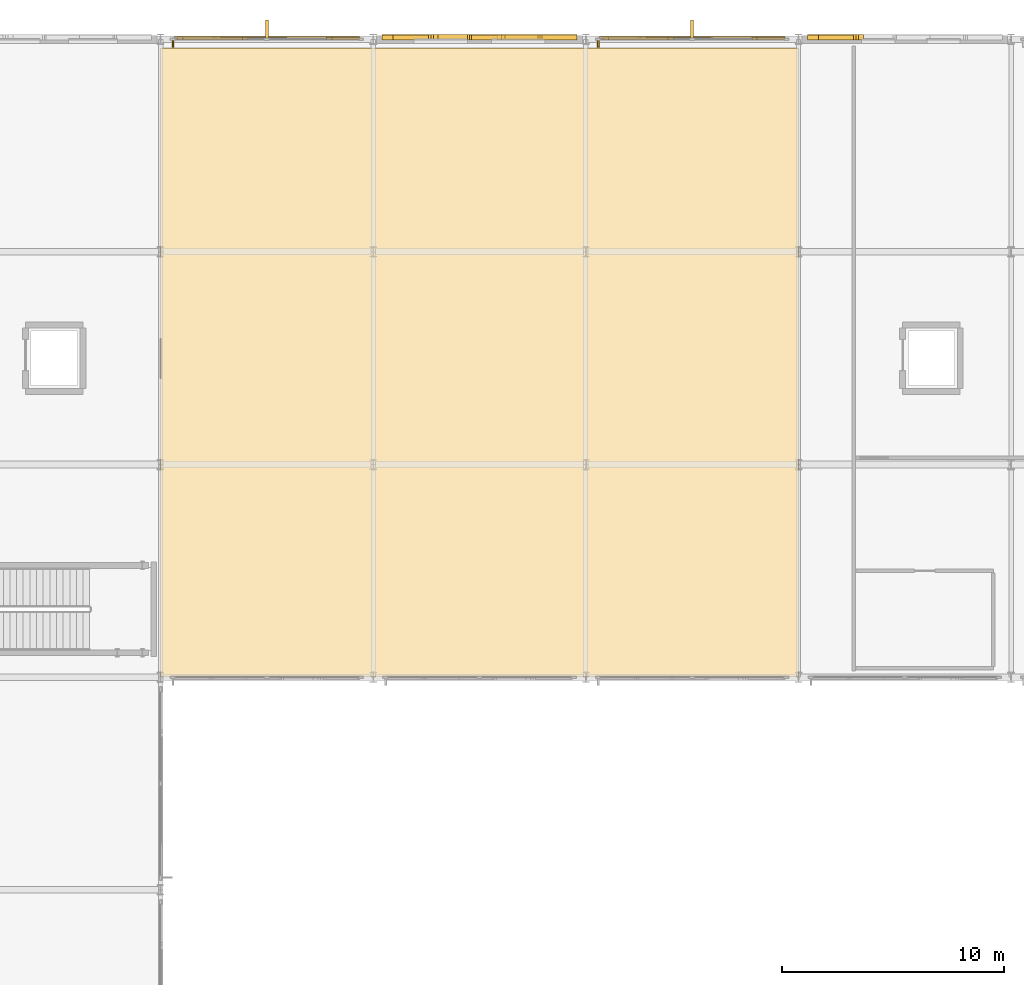
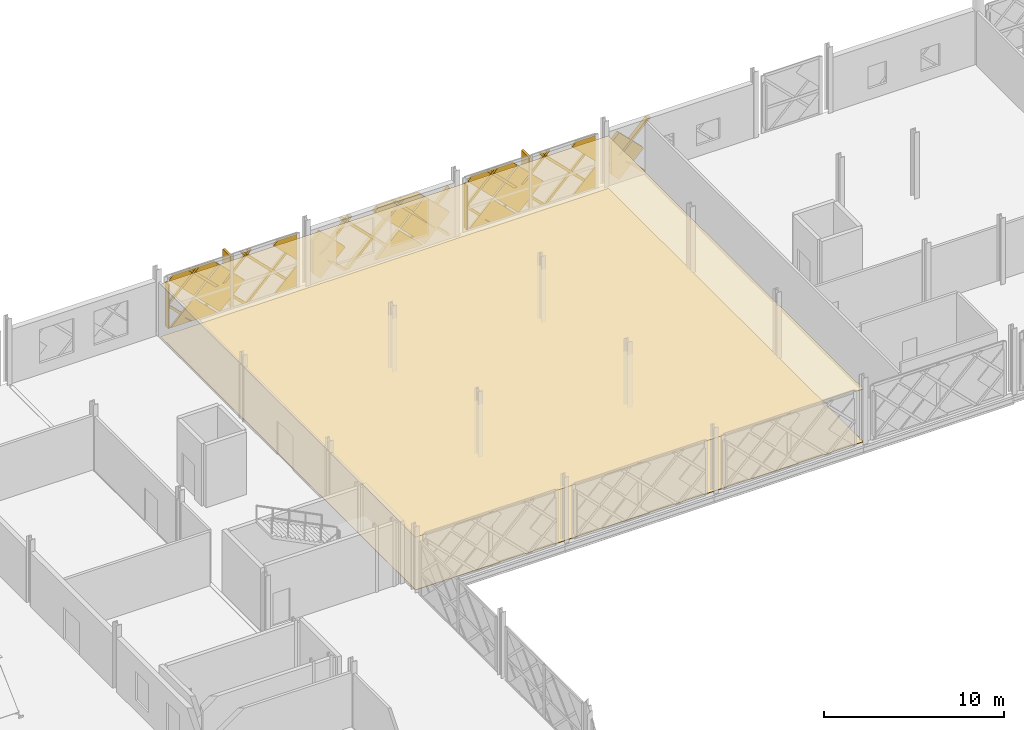
# One storey, part 93 of 101: 39 coverings, 2 shading devices.
"""IFC4 building model written with IfcOpenShell, lengths in metres."""

from ifc_helpers import new_model, si_unit, direction, frame, origin, origin_2d, place, context, subcontext, project, spatial, polyline, rectangle, outline, extrude, material, layer, layer_set, type_object, element, save


model = new_model("IFC4")

# Units and contexts
model_context = context("Model", 3, precision=1e-05, world=origin(), true_north=direction((0.0, 1.0)))
body_context = subcontext(model_context, "Body", "Model", "MODEL_VIEW")
ifc_project = project(units=[si_unit("LENGTHUNIT", "METRE"), si_unit("AREAUNIT", "SQUARE_METRE"), si_unit("VOLUMEUNIT", "CUBIC_METRE"), si_unit("PLANEANGLEUNIT", "RADIAN"), si_unit("MASSUNIT", "GRAM", prefix="KILO")], contexts=[model_context])

# Site, building, storey
site_placement = place(None, origin())
site = spatial("IfcSite", under=ifc_project, at=site_placement, CompositionType="ELEMENT")
building_placement = place(site_placement, origin())
building = spatial("IfcBuilding", under=site, at=building_placement, Name="Zevrakil Square Congress Hotel", CompositionType="ELEMENT")
storey_placement = place(building_placement, frame((0.0, 0.0, 5.39990234375)))
storey = spatial("IfcBuildingStorey", under=building, at=storey_placement, Name="L02", CompositionType="ELEMENT", Elevation=5.39990234375)

# Coverings
ifc_material_1 = material(Name="Acoustic Perforated Timber Ceiling", Category="wood")
ifc_layer_1 = layer(ifc_material_1, 0.02490234375)
ifc_layer_set_1 = layer_set([ifc_layer_1], Name="Acoustic Perforated Timber Ceiling")
covering_type_1 = type_object("IfcCoveringType", Name="COV-CEIL-ACOUSTIC-025", PredefinedType="CEILING", material=ifc_layer_set_1)
covering_1_placement = place(storey_placement, frame((0.0, 0.0, 3.590087890625)))
element("IfcCovering", 1, at=covering_1_placement, inside=storey, type_object=covering_type_1, Name="L02 acoustic perforated timber ceiling 5", PredefinedType="CEILING", context=body_context, shape_type="SweptSolid", body=[
    extrude(outline(polyline([(64.800048828125, 84.0), (93.60009765625, 84.0), (93.60009765625, 112.39990234375), (64.800048828125, 112.39990234375), (64.800048828125, 84.0)])), origin(), (0.0, 0.0, 1.0), 0.02490234375),
])
ifc_material_2 = material(Name="Architectural White Fibre-C GRC", Category="concrete")
ifc_layer_2 = layer(ifc_material_2, 0.06494140625)
ifc_layer_set_2 = layer_set([ifc_layer_2], Name="Architectural White Fibre-C GRC")
covering_type_2 = type_object("IfcCoveringType", Name="COV-DIA-WHITE", PredefinedType="CLADDING", material=ifc_layer_set_2)
covering_2_placement = place(storey_placement, frame((72.3701171875, 112.89501953125, 0.080078125), z_axis=(0.0, 0.999999760125, 0.000692640526), x_axis=(1.0, 0.0, 0.0)))
element("IfcCovering", 2, at=covering_2_placement, inside=storey, type_object=covering_type_2, Name="L02 45-degree white GRC diamond facade cassette 634", PredefinedType="CLADDING", context=body_context, shape_type="SweptSolid", body=[
    extrude(outline(polyline([(0.0, 0.0), (1.409912109375, 0.0), (1.409912109375, -1.4099124475784228), (0.0, 0.0)])), origin(), (0.0, 0.0, -1.0), 0.1201171875),
])
covering_3_placement = place(storey_placement, frame((67.159912109375, 112.89404296875, 1.590087890625), z_axis=(0.0, 0.999999790873, 0.000646725815), x_axis=(-0.707106707249, 0.000457304257, -0.707106707249)))
element("IfcCovering", 3, at=covering_3_placement, inside=storey, type_object=covering_type_2, Name="L02 45-degree white GRC diamond facade cassette 635", PredefinedType="CLADDING", context=body_context, shape_type="SweptSolid", body=[
    extrude(outline(polyline([(0.0, 0.0), (2.1354765131557993, 0.0), (4.465861884739297e-07, -2.1354765131557527), (0.0, 0.0)])), origin(), (0.0, 0.0, -1.0), 0.1201171875),
])
covering_4_placement = place(storey_placement, frame((68.840087890625, 112.89306640625, 3.27001953125), z_axis=(0.0, 0.999999811377, 0.000614203339), x_axis=(-0.707161000837, 0.000434274042, -0.707052424012)))
element("IfcCovering", 4, at=covering_4_placement, inside=storey, type_object=covering_type_2, Name="L02 45-degree white GRC diamond facade cassette 636", PredefinedType="CLADDING", context=body_context, shape_type="SweptSolid", body=[
    extrude(outline(polyline([(0.0, 0.0), (2.2485514454867683, 0.0), (2.2483792228863573, -2.248724065739994), (-0.0001721960923970478, -2.248378798790573), (0.0, 0.0)])), origin(), (0.0, 0.0, -1.0), 0.1201171875),
])
covering_5_placement = place(storey_placement, frame((72.2900390625, 112.89306640625, 3.360107421875), z_axis=(6.3815884e-05, 0.999999812703, 0.000608705356), x_axis=(0.707106741381, 0.000385295076, -0.707106716021)))
element("IfcCovering", 5, at=covering_5_placement, inside=storey, type_object=covering_type_2, Name="L02 45-degree white GRC diamond facade cassette 637", PredefinedType="CLADDING", context=body_context, shape_type="SweptSolid", body=[
    extrude(outline(polyline([(0.0, 0.0), (2.1071645230484313, 0.0), (0.8804306692339328, -1.2267337135237), (-8.785623831220057e-08, -0.3463028608930553), (0.0, 0.0)])), origin(), (0.0, 0.0, -1.0), 0.1201171875),
])
covering_6_placement = place(storey_placement, frame((65.570068359375, 112.89306640625, 3.360107421875), z_axis=(0.0, 0.999999832179, 0.000579346068), x_axis=(0.707052455657, 0.000409691004, -0.707160983866)))
element("IfcCovering", 6, at=covering_6_placement, inside=storey, type_object=covering_type_2, Name="L02 45-degree white GRC diamond facade cassette 638", PredefinedType="CLADDING", context=body_context, shape_type="SweptSolid", body=[
    extrude(outline(polyline([(0.0, 0.0), (2.2485513447832775, -2.220446049250313e-16), (2.248378475325489, -2.2487239649946003), (1.901903001207207, -2.248524784497797), (-2.6675655460328684e-05, -0.346302853878948), (0.0, 0.0)])), origin(), (0.0, 0.0, -1.0), 0.1201171875),
])
covering_7_placement = place(storey_placement, frame((80.340087890625, 112.9990234375, 1.590087890625), z_axis=(0.0, 0.999999790873, 0.000646725815), x_axis=(-0.707106707249, 0.000457304257, -0.707106707249)))
element("IfcCovering", 7, at=covering_7_placement, inside=storey, type_object=covering_type_2, Name="L02 45-degree white GRC diamond facade cassette 657", PredefinedType="CLADDING", context=body_context, shape_type="SweptSolid", body=[
    extrude(outline(polyline([(0.0, 0.0), (2.1354765131557993, 0.0), (4.465861884739297e-07, -2.1354765131557527), (0.0, 0.0)])), origin(), (0.0, 0.0, -1.0), 0.239990234375),
])
covering_8_placement = place(storey_placement, frame((82.02001953125, 112.998046875, 3.27001953125), z_axis=(0.0, 0.999999812555, 0.000612282088), x_axis=(-0.707161000838, 0.000432915616, -0.707052424844)))
element("IfcCovering", 8, at=covering_8_placement, inside=storey, type_object=covering_type_2, Name="L02 45-degree white GRC diamond facade cassette 658", PredefinedType="CLADDING", context=body_context, shape_type="SweptSolid", body=[
    extrude(outline(polyline([(0.0, 0.0), (2.248551445484592, 0.0), (2.2483792228800303, -2.2487240657380205), (0.013811102109335449, -2.2485525032084603), (-0.000343756005215079, -2.2343954741070595), (0.0, 0.0)])), origin(), (0.0, 0.0, -1.0), 0.239990234375),
])
covering_9_placement = place(storey_placement, frame((75.300048828125, 113.0, 0.090087890625), z_axis=(-8.4612019e-05, 0.999999812462, 0.000606562075), x_axis=(0.707052419977, -0.000369112006, 0.707161041885)))
element("IfcCovering", 9, at=covering_9_placement, inside=storey, type_object=covering_type_2, Name="L02 45-degree white GRC diamond facade cassette 659", PredefinedType="CLADDING", context=body_context, shape_type="SweptSolid", body=[
    extrude(outline(polyline([(0.0, 0.0), (2.2485514407081038, 0.0), (2.248724493030647, -2.2483787953987875), (1.5416176719840167, -2.248433114590079), (5.449118448824786e-05, -0.7071069332764888), (0.0, 0.0)])), origin(), (0.0, 0.0, -1.0), 0.239990234375),
])
covering_10_placement = place(storey_placement, frame((78.75, 112.998046875, 3.360107421875), z_axis=(0.0, 0.999999832179, 0.000579346068), x_axis=(0.707106746172, 0.000409659554, -0.707106697534)))
element("IfcCovering", 10, at=covering_10_placement, inside=storey, type_object=covering_type_2, Name="L02 45-degree white GRC diamond facade cassette 660", PredefinedType="CLADDING", context=body_context, shape_type="SweptSolid", body=[
    extrude(outline(polyline([(0.0, 0.0), (2.2487239716392238, 0.0), (2.2485511154520332, -2.2485513381391633), (1.9022482605456785, -2.2485513919470725), (0.00017254537865349362, -0.34647548840639664), (0.0, 0.0)])), origin(), (0.0, 0.0, -1.0), 0.239990234375),
])
covering_11_placement = place(storey_placement, frame((91.570068359375, 112.89501953125, 0.080078125), z_axis=(0.0, 0.999999760125, 0.000692640526), x_axis=(1.0, 0.0, 0.0)))
element("IfcCovering", 11, at=covering_11_placement, inside=storey, type_object=covering_type_2, Name="L02 45-degree white GRC diamond facade cassette 678", PredefinedType="CLADDING", context=body_context, shape_type="SweptSolid", body=[
    extrude(outline(polyline([(0.0, 0.0), (1.409912109375, 0.0), (1.409912109375, -1.4099124475784228), (0.0, 0.0)])), origin(), (0.0, 0.0, -1.0), 0.1201171875),
])
covering_12_placement = place(storey_placement, frame((86.360107421875, 112.89404296875, 1.590087890625), z_axis=(0.0, 0.999999790873, 0.000646725815), x_axis=(-0.707106707249, 0.000457304257, -0.707106707249)))
element("IfcCovering", 12, at=covering_12_placement, inside=storey, type_object=covering_type_2, Name="L02 45-degree white GRC diamond facade cassette 679", PredefinedType="CLADDING", context=body_context, shape_type="SweptSolid", body=[
    extrude(outline(polyline([(0.0, 0.0), (2.1354765131557993, 0.0), (4.465861884739297e-07, -2.1354765131557527), (0.0, 0.0)])), origin(), (0.0, 0.0, -1.0), 0.1201171875),
])
covering_13_placement = place(storey_placement, frame((88.0400390625, 112.89306640625, 3.27001953125), z_axis=(0.0, 0.999999811377, 0.000614203339), x_axis=(-0.707161000837, 0.000434274042, -0.707052424012)))
element("IfcCovering", 13, at=covering_13_placement, inside=storey, type_object=covering_type_2, Name="L02 45-degree white GRC diamond facade cassette 680", PredefinedType="CLADDING", context=body_context, shape_type="SweptSolid", body=[
    extrude(outline(polyline([(0.0, 0.0), (2.2485514454867683, 0.0), (2.2483792228863573, -2.248724065739994), (-0.0001721960923970478, -2.248378798790573), (0.0, 0.0)])), origin(), (0.0, 0.0, -1.0), 0.1201171875),
])
covering_14_placement = place(storey_placement, frame((91.489990234375, 112.89306640625, 3.360107421875), z_axis=(6.3817204e-05, 0.999999812707, 0.000608697323), x_axis=(0.70710674138, 0.000385288462, -0.707106716025)))
element("IfcCovering", 14, at=covering_14_placement, inside=storey, type_object=covering_type_2, Name="L02 45-degree white GRC diamond facade cassette 681", PredefinedType="CLADDING", context=body_context, shape_type="SweptSolid", body=[
    extrude(outline(polyline([(0.0, 0.0), (2.107164523048957, 0.0), (0.8804306692337134, -1.2267337135238576), (0.00017254562600751977, -0.34647549439319403), (0.0, 0.0)])), origin(), (0.0, 0.0, -1.0), 0.1201171875),
])
covering_15_placement = place(storey_placement, frame((84.77001953125, 112.89306640625, 3.360107421875), z_axis=(0.0, 0.999999832177, 0.000579349913), x_axis=(0.707106746172, 0.000409662272, -0.707106697532)))
element("IfcCovering", 15, at=covering_15_placement, inside=storey, type_object=covering_type_2, Name="L02 45-degree white GRC diamond facade cassette 682", PredefinedType="CLADDING", context=body_context, shape_type="SweptSolid", body=[
    extrude(outline(polyline([(0.0, 0.0), (2.24872397163871, -2.220446049250313e-16), (2.248551115452546, -2.2485513381386504), (1.9022482605459134, -2.2485513919469167), (-8.810449772522766e-08, -0.3463028549066256), (0.0, 0.0)])), origin(), (0.0, 0.0, -1.0), 0.1201171875),
])
covering_16_placement = place(storey_placement, frame((94.5, 113.0, 0.090087890625), z_axis=(-8.4603528e-05, 0.999999812462, 0.000606562842), x_axis=(0.707106710496, -0.00036908103, 0.707106755555)))
element("IfcCovering", 16, at=covering_16_placement, inside=storey, type_object=covering_type_2, Name="L02 45-degree white GRC diamond facade cassette 703", PredefinedType="CLADDING", context=body_context, shape_type="SweptSolid", body=[
    extrude(outline(polyline([(0.0, 0.0), (2.2487240675562994, 0.0), (2.2485518661498842, -2.248551435566648), (1.5414450430169933, -2.2485514663260036), (2.0274496120853414e-07, -0.7071069353752842), (0.0, 0.0)])), origin(), (0.0, 0.0, -1.0), 0.239990234375),
])
ifc_material_3 = material(Name="Anodised Champagne Aluminium", Category="aluminium")
ifc_layer_3 = layer(ifc_material_3, 0.0849609375)
ifc_layer_set_3 = layer_set([ifc_layer_3], Name="Anodised Champagne Aluminium")
covering_type_3 = type_object("IfcCoveringType", Name="COV-DIAGRID-45", PredefinedType="MOLDING", material=ifc_layer_set_3)
covering_17_placement = place(storey_placement, frame((73.69384765625, 112.919921875, 0.080078125), z_axis=(-0.000187311957, 0.999999884449, 0.000442737353), x_axis=(0.999999982457, 0.000187311939, 8.293e-08)))
element("IfcCovering", 17, at=covering_17_placement, inside=storey, type_object=covering_type_3, Name="L02 45-degree aluminium diagrid rib 639", PredefinedType="MOLDING", context=body_context, shape_type="SweptSolid", body=[
    extrude(outline(polyline([(0.0, 0.0), (0.0861816391131254, 2.2812090330563966e-24), (0.08618164958060848, -0.12622069075433734), (-3.312744201763839, -3.524902971092284), (-3.5249024011669716, -3.524902971092284), (0.0, 0.0)])), origin(), (0.0, 0.0, -1.0), 0.14501953125),
])
covering_18_placement = place(storey_placement, frame((70.333984375, 112.919921875, 0.080078125), z_axis=(0.0, 0.999999805714, 0.000623354914), x_axis=(1.0, 0.0, 0.0)))
element("IfcCovering", 18, at=covering_18_placement, inside=storey, type_object=covering_type_3, Name="L02 45-degree aluminium diagrid rib 640", PredefinedType="MOLDING", context=body_context, shape_type="SweptSolid", body=[
    extrude(outline(polyline([(0.0, 0.0), (0.212158203125, 0.0), (-3.31298828125, -3.5249030285882292), (-3.525146484375, -3.5249030285882292), (0.0, 0.0)])), origin(), (0.0, 0.0, -1.0), 0.14501953125),
])
covering_19_placement = place(storey_placement, frame((66.973876953125, 112.919921875, 0.080078125), z_axis=(-0.000294139249, 0.999999913482, 0.000294139249), x_axis=(0.999999956741, 0.000294139237, 8.6518e-08)))
element("IfcCovering", 19, at=covering_19_placement, inside=storey, type_object=covering_type_3, Name="L02 45-degree aluminium diagrid rib 641", PredefinedType="MOLDING", context=body_context, shape_type="SweptSolid", body=[
    extrude(outline(polyline([(0.0, 0.0), (0.2121581939472589, 0.0), (-1.553955145347468, -1.7661134920951609), (-1.5539551637029505, -1.5539552981479028), (0.0, 0.0)])), origin(), (0.0, 0.0, -1.0), 0.14501953125),
])
covering_20_placement = place(storey_placement, frame((73.780029296875, 112.918212890625, 3.154052734375), z_axis=(-0.000287477056, 0.99999958606, 0.000863270454), x_axis=(-8.2643e-08, -0.000863270513, 0.999999627382)))
element("IfcCovering", 20, at=covering_20_placement, inside=storey, type_object=covering_type_3, Name="L02 45-degree aluminium diagrid rib 642", PredefinedType="MOLDING", context=body_context, shape_type="SweptSolid", body=[
    extrude(outline(polyline([(0.0, 0.0), (0.21215833483042407, 1.3234889800848443e-23), (-3.0739746676964605, -3.286133202330571), (-3.073974685229852, -3.0739750079722734), (0.0, 0.0)])), origin(), (0.0, 0.0, -1.0), 0.14501953125),
])
covering_21_placement = place(storey_placement, frame((70.87109375, 112.917724609375, 3.60498046875), z_axis=(0.0, 0.999999805714, 0.000623354914), x_axis=(-1.0, 0.0, 0.0)))
element("IfcCovering", 21, at=covering_21_placement, inside=storey, type_object=covering_type_3, Name="L02 45-degree aluminium diagrid rib 643", PredefinedType="MOLDING", context=body_context, shape_type="SweptSolid", body=[
    extrude(outline(polyline([(0.0, 0.0), (0.212158203125, 0.0), (3.7373046875, -3.524903028588229), (3.52490234375, -3.524903028588229), (0.0, 0.0)])), origin(), (0.0, 0.0, -1.0), 0.14501953125),
])
covering_22_placement = place(storey_placement, frame((67.510986328125, 112.917724609375, 3.60498046875), z_axis=(-0.000236587851, 0.999999555129, 0.000913108865), x_axis=(-0.999999972013, -0.000236587752, -2.1603e-07)))
element("IfcCovering", 22, at=covering_22_placement, inside=storey, type_object=covering_type_3, Name="L02 45-degree aluminium diagrid rib 644", PredefinedType="MOLDING", context=body_context, shape_type="SweptSolid", body=[
    extrude(outline(polyline([(0.0, 0.0), (0.21215819718734832, -5.6157808774107894e-24), (2.091064511647426, -1.878662440825683), (2.091064499772122, -2.0910649189555177), (0.0, 0.0)])), origin(), (0.0, 0.0, -1.0), 0.14501953125),
])
covering_23_placement = place(storey_placement, frame((83.513916015625, 113.02490234375, 0.080078125), z_axis=(-0.000187311957, 0.999999884449, 0.000442737353), x_axis=(0.999999982457, 0.000187311939, 8.293e-08)))
element("IfcCovering", 23, at=covering_23_placement, inside=storey, type_object=covering_type_3, Name="L02 45-degree aluminium diagrid rib 661", PredefinedType="MOLDING", context=body_context, shape_type="SweptSolid", body=[
    extrude(outline(polyline([(0.0, 0.0), (0.0861816391131254, 2.2812090330563966e-24), (0.08618164958060848, -0.12622069075433734), (-3.312744201763839, -3.524902971092284), (-3.5249024011669716, -3.524902971092284), (0.0, 0.0)])), origin(), (0.0, 0.0, -1.0), 0.264892578125),
])
covering_24_placement = place(storey_placement, frame((80.15380859375, 113.02490234375, 0.080078125), z_axis=(0.0, 0.999999805714, 0.000623354914), x_axis=(1.0, 0.0, 0.0)))
element("IfcCovering", 24, at=covering_24_placement, inside=storey, type_object=covering_type_3, Name="L02 45-degree aluminium diagrid rib 662", PredefinedType="MOLDING", context=body_context, shape_type="SweptSolid", body=[
    extrude(outline(polyline([(0.0, 0.0), (0.21240234375, 0.0), (-3.312744140625, -3.524903028588229), (-3.52490234375, -3.524903028588229), (0.0, 0.0)])), origin(), (0.0, 0.0, -1.0), 0.264892578125),
])
covering_25_placement = place(storey_placement, frame((76.7939453125, 113.02490234375, 0.080078125), z_axis=(-0.000290646956, 0.999999915524, 0.000290646956), x_axis=(0.999999957762, 0.000290646943, 8.4476e-08)))
element("IfcCovering", 25, at=covering_25_placement, inside=storey, type_object=covering_type_3, Name="L02 45-degree aluminium diagrid rib 663", PredefinedType="MOLDING", context=body_context, shape_type="SweptSolid", body=[
    extrude(outline(polyline([(0.0, 0.0), (0.21215819416389847, -2.8078904387053947e-24), (-1.9938965685928591, -2.2060549491146975), (-1.9938965865150626, -1.9938967549507998), (0.0, 0.0)])), origin(), (0.0, 0.0, -1.0), 0.264892578125),
])
covering_26_placement = place(storey_placement, frame((83.60009765625, 113.023193359375, 3.154052734375), z_axis=(-0.000287477056, 0.99999958606, 0.000863270454), x_axis=(-8.2643e-08, -0.000863270513, 0.999999627382)))
element("IfcCovering", 26, at=covering_26_placement, inside=storey, type_object=covering_type_3, Name="L02 45-degree aluminium diagrid rib 664", PredefinedType="MOLDING", context=body_context, shape_type="SweptSolid", body=[
    extrude(outline(polyline([(0.0, 0.0), (0.21215833483042407, 1.3234889800848443e-23), (-3.0739746676964605, -3.286133202330571), (-3.073974685229852, -3.0739750079722734), (0.0, 0.0)])), origin(), (0.0, 0.0, -1.0), 0.264892578125),
])
covering_27_placement = place(storey_placement, frame((80.691162109375, 113.022705078125, 3.60498046875), z_axis=(0.0, 0.999999805714, 0.000623354914), x_axis=(-1.0, 0.0, 0.0)))
element("IfcCovering", 27, at=covering_27_placement, inside=storey, type_object=covering_type_3, Name="L02 45-degree aluminium diagrid rib 665", PredefinedType="MOLDING", context=body_context, shape_type="SweptSolid", body=[
    extrude(outline(polyline([(0.0, 0.0), (0.212158203125, 0.0), (3.7373046875, -3.5249030285882292), (3.525146484375, -3.5249030285882292), (0.0, 0.0)])), origin(), (0.0, 0.0, -1.0), 0.264892578125),
])
covering_28_placement = place(storey_placement, frame((77.3310546875, 113.022705078125, 3.60498046875), z_axis=(-0.000248165226, 0.99999956188, 0.000902582256), x_axis=(-0.999999969207, -0.000248165125, -2.2399e-07)))
element("IfcCovering", 28, at=covering_28_placement, inside=storey, type_object=covering_type_3, Name="L02 45-degree aluminium diagrid rib 666", PredefinedType="MOLDING", context=body_context, shape_type="SweptSolid", body=[
    extrude(outline(polyline([(0.0, 0.0), (0.21215819659201454, 0.0), (2.531005937312241, -2.318848033861662), (2.53100592424627, -2.5310063709258004), (0.0, 0.0)])), origin(), (0.0, 0.0, -1.0), 0.264892578125),
])
covering_29_placement = place(storey_placement, frame((92.893798828125, 112.919921875, 0.080078125), z_axis=(-0.000187311957, 0.999999884449, 0.000442737353), x_axis=(0.999999982457, 0.000187311939, 8.293e-08)))
element("IfcCovering", 29, at=covering_29_placement, inside=storey, type_object=covering_type_3, Name="L02 45-degree aluminium diagrid rib 683", PredefinedType="MOLDING", context=body_context, shape_type="SweptSolid", body=[
    extrude(outline(polyline([(0.0, 0.0), (0.0861816391131254, 2.2812090330563966e-24), (0.08618164958060848, -0.12622069075433734), (-3.312744201763839, -3.524902971092284), (-3.5249024011669716, -3.524902971092284), (0.0, 0.0)])), origin(), (0.0, 0.0, -1.0), 0.14501953125),
])
covering_30_placement = place(storey_placement, frame((89.533935546875, 112.919921875, 0.080078125), z_axis=(0.0, 0.999999805714, 0.000623354914), x_axis=(1.0, 0.0, 0.0)))
element("IfcCovering", 30, at=covering_30_placement, inside=storey, type_object=covering_type_3, Name="L02 45-degree aluminium diagrid rib 684", PredefinedType="MOLDING", context=body_context, shape_type="SweptSolid", body=[
    extrude(outline(polyline([(0.0, 0.0), (0.212158203125, 0.0), (-3.312744140625, -3.524903028588229), (-3.525146484375, -3.524903028588229), (0.0, 0.0)])), origin(), (0.0, 0.0, -1.0), 0.14501953125),
])
covering_31_placement = place(storey_placement, frame((86.173828125, 112.919921875, 0.080078125), z_axis=(-0.000294160881, 0.999999913469, 0.000294160881), x_axis=(0.999999956735, 0.000294160868, 8.6531e-08)))
element("IfcCovering", 31, at=covering_31_placement, inside=storey, type_object=covering_type_3, Name="L02 45-degree aluminium diagrid rib 685", PredefinedType="MOLDING", context=body_context, shape_type="SweptSolid", body=[
    extrude(outline(polyline([(0.0, 0.0), (0.21215819394590898, 2.8078904387053947e-24), (-1.5537110047217924, -1.7661134921050472), (-1.5537110230799749, -1.5539552981591391), (0.0, 0.0)])), origin(), (0.0, 0.0, -1.0), 0.14501953125),
])
covering_32_placement = place(storey_placement, frame((92.97998046875, 112.918212890625, 3.154052734375), z_axis=(-0.000287477056, 0.99999958606, 0.000863270454), x_axis=(-8.2643e-08, -0.000863270513, 0.999999627382)))
element("IfcCovering", 32, at=covering_32_placement, inside=storey, type_object=covering_type_3, Name="L02 45-degree aluminium diagrid rib 686", PredefinedType="MOLDING", context=body_context, shape_type="SweptSolid", body=[
    extrude(outline(polyline([(0.0, 0.0), (0.21215833483042407, 1.3234889800848443e-23), (-3.0739746676964605, -3.286133202330571), (-3.073974685229852, -3.0739750079722734), (0.0, 0.0)])), origin(), (0.0, 0.0, -1.0), 0.14501953125),
])
covering_33_placement = place(storey_placement, frame((90.071044921875, 112.917724609375, 3.60498046875), z_axis=(0.0, 0.999999805714, 0.000623354914), x_axis=(-1.0, 0.0, 0.0)))
element("IfcCovering", 33, at=covering_33_placement, inside=storey, type_object=covering_type_3, Name="L02 45-degree aluminium diagrid rib 687", PredefinedType="MOLDING", context=body_context, shape_type="SweptSolid", body=[
    extrude(outline(polyline([(0.0, 0.0), (0.212158203125, 0.0), (3.737060546875, -3.5249030285882292), (3.52490234375, -3.5249030285882292), (0.0, 0.0)])), origin(), (0.0, 0.0, -1.0), 0.14501953125),
])
covering_34_placement = place(storey_placement, frame((86.711181640625, 112.917724609375, 3.60498046875), z_axis=(-0.000236459156, 0.99999955529, 0.00091296562), x_axis=(-0.999999972044, -0.000236459057, -2.15879e-07)))
element("IfcCovering", 34, at=covering_34_placement, inside=storey, type_object=covering_type_3, Name="L02 45-degree aluminium diagrid rib 688", PredefinedType="MOLDING", context=body_context, shape_type="SweptSolid", body=[
    extrude(outline(polyline([(0.0, 0.0), (0.21240233781198098, 0.0), (2.091064511583775, -1.8786624408965298), (2.0910644997077372, -2.091064919019172), (0.0, 0.0)])), origin(), (0.0, 0.0, -1.0), 0.14501953125),
])
covering_35_placement = place(storey_placement, frame((95.993896484375, 113.02490234375, 0.080078125), z_axis=(-0.000290646956, 0.999999915524, 0.000290646956), x_axis=(0.999999957762, 0.000290646943, 8.4476e-08)))
element("IfcCovering", 35, at=covering_35_placement, inside=storey, type_object=covering_type_3, Name="L02 45-degree aluminium diagrid rib 707", PredefinedType="MOLDING", context=body_context, shape_type="SweptSolid", body=[
    extrude(outline(polyline([(0.0, 0.0), (0.21215819416389847, -2.8078904387053947e-24), (-1.9938965685928591, -2.2060549491146975), (-1.9938965865150626, -1.9938967549507998), (0.0, 0.0)])), origin(), (0.0, 0.0, -1.0), 0.264892578125),
])
covering_36_placement = place(storey_placement, frame((96.531005859375, 113.022705078125, 3.60498046875), z_axis=(-0.000248165226, 0.99999956188, 0.000902582256), x_axis=(-0.999999969207, -0.000248165125, -2.2399e-07)))
element("IfcCovering", 36, at=covering_36_placement, inside=storey, type_object=covering_type_3, Name="L02 45-degree aluminium diagrid rib 710", PredefinedType="MOLDING", context=body_context, shape_type="SweptSolid", body=[
    extrude(outline(polyline([(0.0, 0.0), (0.21215819659201454, 0.0), (2.531005937312241, -2.318848033861662), (2.53100592424627, -2.5310063709258004), (0.0, 0.0)])), origin(), (0.0, 0.0, -1.0), 0.264892578125),
])
ifc_material_4 = material(Name="Architectural White Fibre-C GRC", Category="concrete")
ifc_layer_4 = layer(ifc_material_4, 0.139892578125)
ifc_layer_set_4 = layer_set([ifc_layer_4], Name="Architectural White Fibre-C GRC")
covering_type_4 = type_object("IfcCoveringType", Name="COV-FIN-GRC90", PredefinedType="MOLDING", material=ifc_layer_set_4)
for number, where, z_axis, x_axis, name in (
    (37, (69.60009765625, 113.219970703125, 0.1201171875), (0.0, 0.0, 1.0), (0.0, 1.0, 0.0), "L02 highland sun-breaker GRC fin 645"),
    (38, (88.800048828125, 113.219970703125, 0.1201171875), (0.0, 0.0, 1.0), (0.0, 1.0, 0.0), "L02 highland sun-breaker GRC fin 689"),
):
    element("IfcCovering", number, at=place(storey_placement, frame(where, z_axis=z_axis, x_axis=x_axis)), inside=storey, type_object=covering_type_4, Name=name, PredefinedType="MOLDING", context=body_context, shape_type="SweptSolid", body=[
        extrude(rectangle(XDim=0.89990234375, YDim=0.139892578125, at=origin_2d()), origin(), (0.0, 0.0, 1.0), 3.445068359375),
    ])
ifc_material_5 = material(Name="Honed Addis Basalt Stone Flooring", Category="masonry")
ifc_layer_5 = layer(ifc_material_5, 0.030029296875)
ifc_layer_set_5 = layer_set([ifc_layer_5], Name="Honed Addis Basalt Stone Flooring")
covering_type_5 = type_object("IfcCoveringType", Name="COV-FLOR-BASALT-030", PredefinedType="FLOORING", material=ifc_layer_set_5)
covering_37_placement = place(storey_placement, origin())
element("IfcCovering", 39, at=covering_37_placement, inside=storey, type_object=covering_type_5, Name="L02 honed basalt stone flooring 5", PredefinedType="FLOORING", context=body_context, shape_type="SweptSolid", body=[
    extrude(outline(polyline([(64.800048828125, 84.0), (93.60009765625, 84.0), (93.60009765625, 112.39990234375), (64.800048828125, 112.39990234375), (64.800048828125, 84.0)])), origin(), (0.0, 0.0, 1.0), 0.030029296875),
])

# Shading devices
ifc_material_6 = material(Name="Aluminium Anodised Bronze", Category="aluminium")
shading_device_type = type_object("IfcShadingDeviceType", Name="SHD-FIN-35", PredefinedType="JALOUSIE", material=ifc_material_6)
for number, where, z_axis, x_axis, name in (
    (40, (65.360107421875, 112.60498046875, 0.342529296875), (0.0, 0.0, 1.0), (0.0, -1.0, 0.0), "L02 aluminium solar shading fin 39"),
    (41, (84.56005859375, 112.60498046875, 0.342529296875), (0.0, 0.0, 1.0), (0.0, -1.0, 0.0), "L02 aluminium solar shading fin 41"),
):
    element("IfcShadingDevice", number, at=place(storey_placement, frame(where, z_axis=z_axis, x_axis=x_axis)), inside=storey, type_object=shading_device_type, Name=name, PredefinedType="JALOUSIE", context=body_context, shape_type="SweptSolid", body=[
        extrude(rectangle(XDim=0.35009765625, YDim=0.080078125, at=origin_2d()), origin(), (0.0, 0.0, 1.0), 3.0),
    ])

save(model, "model.ifc")
